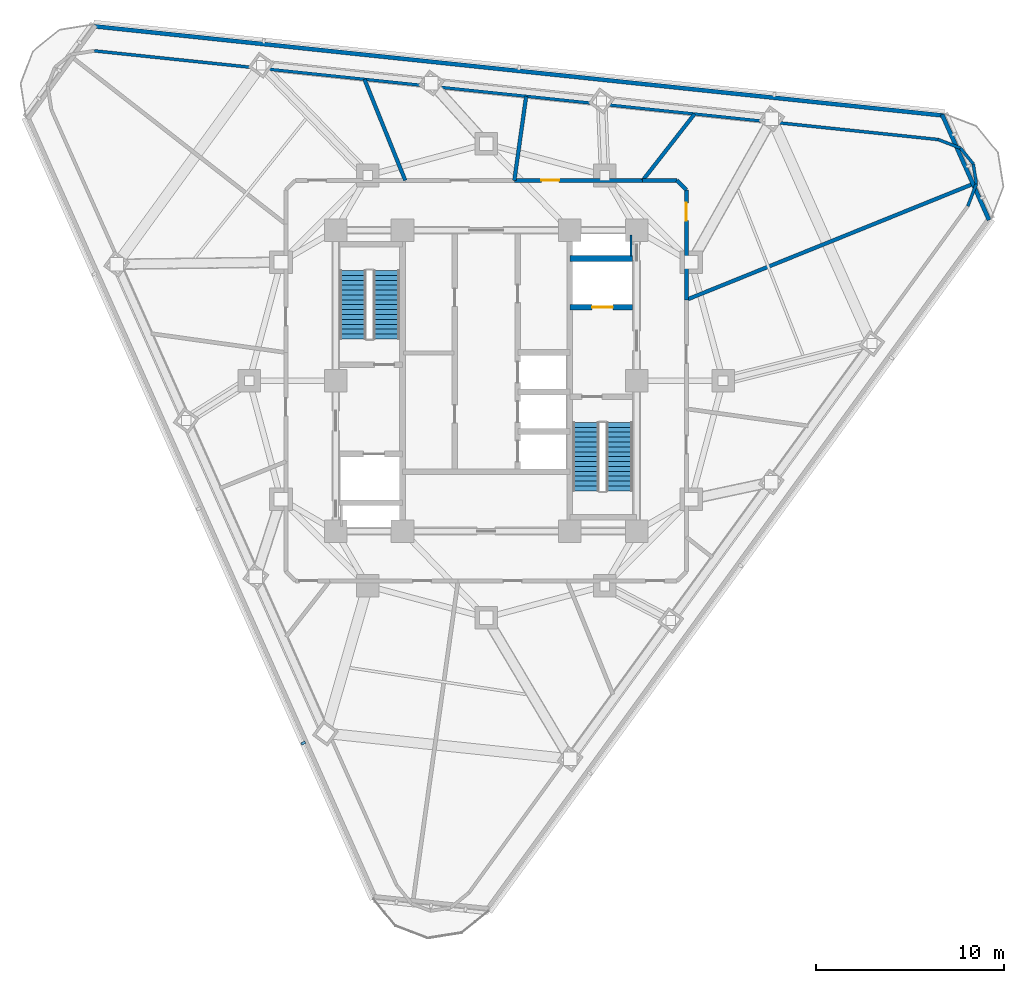
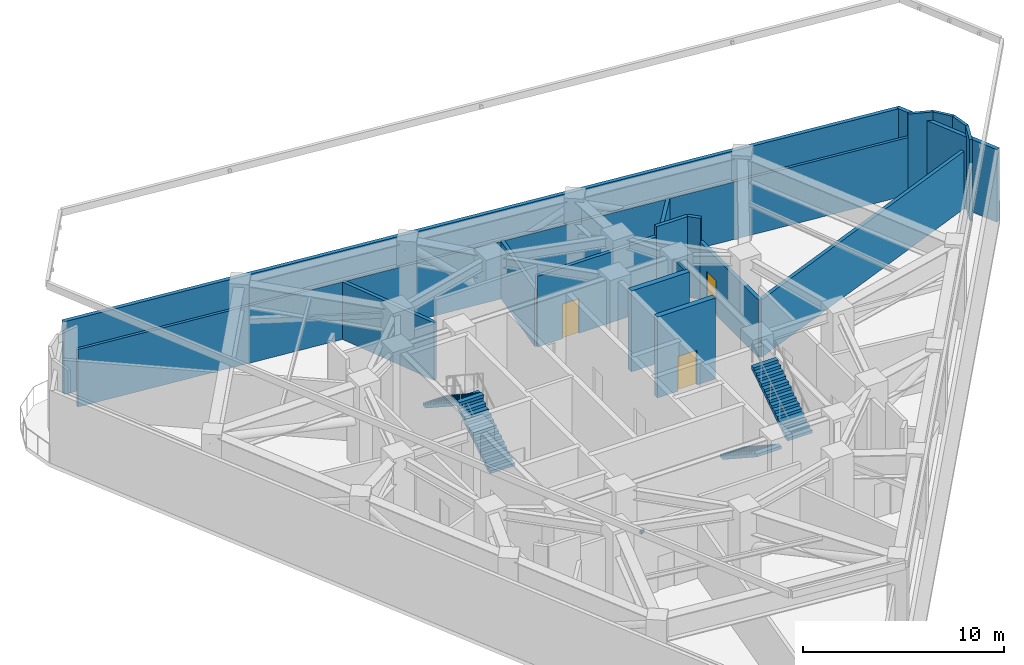
# One storey, part 5 of 10: 18 walls, 4 stair flights, 3 doors, 1 discrete accessory, 3 openings, 2 elements without a shape of their own.
"""IFC4 building model written with IfcOpenShell, lengths in metres."""

from ifc_helpers import new_model, si_unit, direction, frame, frame_2d, origin, origin_2d, place, context, subcontext, project, spatial, polyline, rectangle, outline, extrude, material, layer, layer_set, type_object, element, fill, aggregate, save


model = new_model("IFC4")

# Units and contexts
model_context = context("Model", 3, precision=1e-05, world=origin(), true_north=direction((0.0, 1.0)))
body_context = subcontext(model_context, "Body", "Model", "MODEL_VIEW")
ifc_project = project(units=[si_unit("LENGTHUNIT", "METRE"), si_unit("AREAUNIT", "SQUARE_METRE"), si_unit("VOLUMEUNIT", "CUBIC_METRE"), si_unit("PLANEANGLEUNIT", "RADIAN"), si_unit("MASSUNIT", "GRAM", prefix="KILO")], contexts=[model_context])

# Site, building, storey
site_placement = place(None, origin())
site = spatial("IfcSite", under=ifc_project, at=site_placement, CompositionType="ELEMENT")
building_placement = place(site_placement, origin())
building = spatial("IfcBuilding", under=site, at=building_placement, Name="Terralouvre Media Tower", CompositionType="ELEMENT")
storey_placement = place(building_placement, frame((0.0, 0.0, 213.800048828125)))
storey = spatial("IfcBuildingStorey", under=building, at=storey_placement, Name="L55", CompositionType="ELEMENT", Elevation=213.800048828125)

# Wall, opening, door
ifc_material_1 = material(Name="Concrete C50/60", Category="concrete")
ifc_layer_1 = layer(ifc_material_1, 0.300048828125, Name="Core Internal Shaft Wall CW-300")
ifc_layer_set_1 = layer_set([ifc_layer_1], Name="Concrete C50/60")
wall_type_1 = type_object("IfcWallType", Name="Core Internal Shaft Wall CW-300", PredefinedType="SHEAR", material=ifc_layer_set_1)
wall_1_placement = place(storey_placement, frame((4.449951171875, 3.89990234375, 0.0), z_axis=(0.0, 0.0, 1.0), x_axis=(1.0, 0.0, 0.0)))
wall_1 = element("IfcWall", 1, at=wall_1_placement, inside=storey, type_object=wall_type_1, Name="L55 Core Shaft Wall FF2S", PredefinedType="SHEAR", context=body_context, shape_type="SweptSolid", body=[
    extrude(rectangle(XDim=3.340087890625, YDim=0.300048828125, at=frame_2d((1.669921875, 0.0))), origin(), (0.0, 0.0, 1.0), 4.89990234375),
])
opening_1_placement = place(wall_1_placement, frame((1.179931640625, 0.0, 0.0)))
opening_1 = element("IfcOpeningElement", 2, at=opening_1_placement, cuts=wall_1, Name="Opening LD-FF", PredefinedType="OPENING", context=body_context, shape_type="SweptSolid", body=[
    extrude(rectangle(XDim=1.10009765625, YDim=2.10009765625, at=frame_2d((0.550048828125, 1.050048828125))), frame((0.0, 0.159912109375, 0.0), z_axis=(0.0, -1.0, 0.0), x_axis=(1.0, 0.0, 0.0)), (0.0, 0.0, 1.0), 0.320068359375),
])
ifc_material_2 = material(Name="Stainless steel 316 handrail and balustrade", Category="steel")
door_type_1 = type_object("IfcDoorType", Name="Firefighting Lift Sliding Landing Door LD-FF", OperationType="SLIDING_TO_LEFT", PredefinedType="DOOR", material=ifc_material_2)
door_1_placement = place(opening_1_placement, origin())
door_1 = element("IfcDoor", 3, at=door_1_placement, inside=storey, type_object=door_type_1, Name="L55 Firefighting Lift FFL-02 Landing Door", OperationType="SLIDING_TO_LEFT", OverallHeight=2.10009765625, OverallWidth=1.10009765625, PredefinedType="DOOR", context=body_context, shape_type="SweptSolid", body=[
    extrude(rectangle(XDim=1.10009765625, YDim=2.10009765625, at=frame_2d((0.550048828125, 1.050048828125))), frame((0.0, 0.02490234375, 0.0), z_axis=(0.0, -1.0, 0.0), x_axis=(1.0, 0.0, 0.0)), (0.0, 0.0, 1.0), 0.050048828125),
])
fill(opening_1, door_1)

# Walls
wall_2_placement = place(storey_placement, frame((4.449951171875, 6.5, 0.0), z_axis=(0.0, 0.0, 1.0), x_axis=(1.0, 0.0, 0.0)))
element("IfcWall", 4, at=wall_2_placement, inside=storey, type_object=wall_type_1, Name="L55 Core Shaft Wall FF2N", PredefinedType="SHEAR", context=body_context, shape_type="SweptSolid", body=[
    extrude(rectangle(XDim=3.340087890625, YDim=0.300048828125, at=frame_2d((1.669921875, 0.0))), origin(), (0.0, 0.0, 1.0), 4.89990234375),
])
ifc_material_3 = material(Name="Fire-rated gypsum board drywall partition")
ifc_layer_2 = layer(ifc_material_3, 0.199951171875, Name="Fire-Rated Shaft and Lobby Partition FW-200")
ifc_layer_set_2 = layer_set([ifc_layer_2], Name="Fire-rated gypsum board drywall partition")
wall_type_2 = type_object("IfcWallType", Name="Fire-Rated Shaft and Lobby Partition FW-200", PredefinedType="SOLIDWALL", material=ifc_layer_set_2)
wall_3_placement = place(storey_placement, frame((-20.84375, 17.53955078125, 0.0), z_axis=(0.0, 0.0, 1.0), x_axis=(0.994521715923, -0.104530170562, 0.0)))
element("IfcWall", 5, at=wall_3_placement, inside=storey, type_object=wall_type_2, Name="L55 Belt-Truss Acoustic Plenum Liner Wall 06", PredefinedType="SOLIDWALL", context=body_context, shape_type="SweptSolid", body=[
    extrude(rectangle(XDim=45.126220703125, YDim=0.159912109375, at=frame_2d((22.56298828125, 0.0))), origin(), (0.0, 0.0, 1.0), 3.48486328125),
])
wall_4_placement = place(storey_placement, frame((24.03515625, 12.822509765625, 0.0), z_axis=(0.0, 0.0, 1.0), x_axis=(0.933607923798, -0.358296308412, 0.0)))
element("IfcWall", 6, at=wall_4_placement, inside=storey, type_object=wall_type_2, Name="L55 Belt-Truss Acoustic Plenum Liner Wall 07", PredefinedType="SOLIDWALL", context=body_context, shape_type="SweptSolid", body=[
    extrude(rectangle(XDim=1.27001953125, YDim=0.159912109375, at=frame_2d((0.635009765625, 0.0))), origin(), (0.0, 0.0, 1.0), 4.89990234375),
])
for number, where, z_axis, x_axis, name in (
    (7, (25.220947265625, 12.367431640625, 0.0), (0.0, 0.0, 1.0), (0.629302601952, -0.777160366447, 0.0), "L55 Belt-Truss Acoustic Plenum Liner Wall 08"),
    (8, (25.8984375, 11.53076171875, 0.0), (0.0, 0.0, 1.0), (0.156451580451, -0.987685629628, 0.0), "L55 Belt-Truss Acoustic Plenum Liner Wall 09"),
):
    element("IfcWall", number, at=place(storey_placement, frame(where, z_axis=z_axis, x_axis=x_axis)), inside=storey, type_object=wall_type_2, Name=name, PredefinedType="SOLIDWALL", context=body_context, shape_type="SweptSolid", body=[
        extrude(rectangle(XDim=1.07666015625, YDim=0.159912109375, at=frame_2d((0.538330078125, 0.0))), origin(), (0.0, 0.0, 1.0), 4.89990234375),
    ])
wall_5_placement = place(storey_placement, frame((26.06689453125, 10.46728515625, 0.0), z_axis=(0.0, 0.0, 1.0), x_axis=(-0.358463833793, -0.933543614333, 0.0)))
element("IfcWall", 9, at=wall_5_placement, inside=storey, type_object=wall_type_2, Name="L55 Belt-Truss Acoustic Plenum Liner Wall 10", PredefinedType="SOLIDWALL", context=body_context, shape_type="SweptSolid", body=[
    extrude(rectangle(XDim=1.270263671875, YDim=0.159912109375, at=frame_2d((0.63525390625, 0.0))), origin(), (0.0, 0.0, 1.0), 4.89990234375),
])

# Wall, opening, door
wall_6_placement = place(storey_placement, frame((10.64990234375, 4.302978515625, 0.0), z_axis=(0.0, 0.0, 1.0), x_axis=(0.0, 1.0, 0.0)))
wall_6 = element("IfcWall", 10, at=wall_6_placement, inside=storey, type_object=wall_type_2, Name="L55 Interior Partition 012", PredefinedType="SOLIDWALL", context=body_context, shape_type="SweptSolid", body=[
    extrude(rectangle(XDim=5.846923828125, YDim=0.199951171875, at=frame_2d((2.92333984375, 0.0))), origin(), (0.0, 0.0, 1.0), 3.48486328125),
])
opening_2_placement = place(wall_6_placement, frame((4.20263671875, 0.0, 0.0)))
opening_2 = element("IfcOpeningElement", 11, at=opening_2_placement, cuts=wall_6, Name="Opening FD-02-95X210", PredefinedType="OPENING", context=body_context, shape_type="SweptSolid", body=[
    extrude(rectangle(XDim=0.949951171875, YDim=2.10009765625, at=frame_2d((0.47509765625, 1.050048828125))), frame((0.0, 0.10986328125, 0.0), z_axis=(0.0, -1.0, 0.0), x_axis=(1.0, 0.0, 0.0)), (0.0, 0.0, 1.0), 0.219970703125),
])
ifc_material_4 = material(Name="Galvanised steel fire-resisting leaf", Category="steel")
door_type_2 = type_object("IfcDoorType", Name="Plant and Riser Fire Door FD-02 (950x2100)", OperationType="NOTDEFINED", PredefinedType="DOOR", material=ifc_material_4)
door_2_placement = place(opening_2_placement, origin())
door_2 = element("IfcDoor", 12, at=door_2_placement, inside=storey, type_object=door_type_2, Name="L55 Sprinkler Reserve Tank and Pump Plant Room Door", OperationType="SINGLE_SWING_LEFT", OverallHeight=2.10009765625, OverallWidth=0.949951171875, PredefinedType="DOOR", context=body_context, shape_type="SweptSolid", body=[
    extrude(rectangle(XDim=0.949951171875, YDim=2.10009765625, at=frame_2d((0.47509765625, 1.050048828125))), frame((0.0, 0.02490234375, 0.0), z_axis=(0.0, -1.0, 0.0), x_axis=(1.0, 0.0, 0.0)), (0.0, 0.0, 1.0), 0.050048828125),
])
fill(opening_2, door_2)

# Walls
wall_7_placement = place(storey_placement, frame((10.64990234375, 10.14990234375, 0.0), z_axis=(0.0, 0.0, 1.0), x_axis=(-0.707106781187, 0.707106781187, 0.0)))
element("IfcWall", 13, at=wall_7_placement, inside=storey, type_object=wall_type_2, Name="L55 Interior Partition 013", PredefinedType="SOLIDWALL", context=body_context, shape_type="SweptSolid", body=[
    extrude(rectangle(XDim=0.70703125, YDim=0.199951171875, at=frame_2d((0.353515625, 0.0))), origin(), (0.0, 0.0, 1.0), 4.89990234375),
])
wall_8_placement = place(storey_placement, frame((10.14990234375, 10.64990234375, 0.0), z_axis=(0.0, 0.0, 1.0), x_axis=(-1.0, 0.0, 0.0)))
element("IfcWall", 14, at=wall_8_placement, inside=storey, type_object=wall_type_2, Name="L55 Interior Partition 014", PredefinedType="SOLIDWALL", context=body_context, shape_type="SweptSolid", body=[
    extrude(rectangle(XDim=1.828857421875, YDim=0.199951171875, at=frame_2d((0.91455078125, 0.0))), origin(), (0.0, 0.0, 1.0), 4.89990234375),
])

# Wall, opening, door
wall_9_placement = place(storey_placement, frame((8.321044921875, 10.64990234375, 0.0), z_axis=(0.0, 0.0, 1.0), x_axis=(-1.0, 0.0, 0.0)))
wall_9 = element("IfcWall", 15, at=wall_9_placement, inside=storey, type_object=wall_type_2, Name="L55 Interior Partition 015", PredefinedType="SOLIDWALL", context=body_context, shape_type="SweptSolid", body=[
    extrude(rectangle(XDim=6.823974609375, YDim=0.199951171875, at=frame_2d((3.412109375, 0.0))), origin(), (0.0, 0.0, 1.0), 4.284912109375),
])
opening_3_placement = place(wall_9_placement, frame((4.438232421875, 0.0, 0.0)))
opening_3 = element("IfcOpeningElement", 16, at=opening_3_placement, cuts=wall_9, Name="Opening FD-02-95X210", PredefinedType="OPENING", context=body_context, shape_type="SweptSolid", body=[
    extrude(rectangle(XDim=0.949951171875, YDim=2.10009765625, at=frame_2d((0.47509765625, 1.050048828125))), frame((0.0, 0.10986328125, 0.0), z_axis=(0.0, -1.0, 0.0), x_axis=(1.0, 0.0, 0.0)), (0.0, 0.0, 1.0), 0.219970703125),
])
door_3_placement = place(opening_3_placement, origin())
door_3 = element("IfcDoor", 17, at=door_3_placement, inside=storey, type_object=door_type_2, Name="L55 BMS and Telecom Mechanical Control Plant Room Door", OperationType="SINGLE_SWING_RIGHT", OverallHeight=2.10009765625, OverallWidth=0.949951171875, PredefinedType="DOOR", context=body_context, shape_type="SweptSolid", body=[
    extrude(rectangle(XDim=0.949951171875, YDim=2.10009765625, at=frame_2d((0.47509765625, 1.050048828125))), frame((0.0, 0.02490234375, 0.0), z_axis=(0.0, -1.0, 0.0), x_axis=(1.0, 0.0, 0.0)), (0.0, 0.0, 1.0), 0.050048828125),
])
fill(opening_3, door_3)

# Walls
wall_10_placement = place(storey_placement, frame((26.05712890625, 10.528076171875, 0.0), z_axis=(0.0, 0.0, 1.0), x_axis=(-0.927180216428, -0.374615597999, 0.0)))
element("IfcWall", 18, at=wall_10_placement, inside=storey, type_object=wall_type_2, Name="L55 Interior Partition 028", PredefinedType="SOLIDWALL", context=body_context, shape_type="SweptSolid", body=[
    extrude(rectangle(XDim=16.6171875, YDim=0.199951171875, at=frame_2d((8.30859375, 0.0))), origin(), (0.0, 0.0, 1.0), 3.48486328125),
])
wall_11_placement = place(storey_placement, frame((11.08203125, 14.18408203125, 0.0), z_axis=(0.0, 0.0, 1.0), x_axis=(-0.615631365167, -0.788034277315, 0.0)))
element("IfcWall", 19, at=wall_11_placement, inside=storey, type_object=wall_type_2, Name="L55 Interior Partition 029", PredefinedType="SOLIDWALL", context=body_context, shape_type="SweptSolid", body=[
    extrude(rectangle(XDim=4.48486328125, YDim=0.199951171875, at=frame_2d((2.242431640625, 0.0))), origin(), (0.0, 0.0, 1.0), 3.48486328125),
])
wall_12_placement = place(storey_placement, frame((2.1259765625, 15.125244140625, 0.0), z_axis=(0.0, 0.0, 1.0), x_axis=(-0.139159643066, -0.990269960032, 0.0)))
element("IfcWall", 20, at=wall_12_placement, inside=storey, type_object=wall_type_2, Name="L55 Interior Partition 030", PredefinedType="SOLIDWALL", context=body_context, shape_type="SweptSolid", body=[
    extrude(rectangle(XDim=4.519287109375, YDim=0.199951171875, at=frame_2d((2.259765625, 0.0))), origin(), (0.0, 0.0, 1.0), 3.48486328125),
])
wall_13_placement = place(storey_placement, frame((-6.476318359375, 16.029541015625, 0.0), z_axis=(0.0, 0.0, 1.0), x_axis=(0.374580624875, -0.927194346115, 0.0)))
element("IfcWall", 21, at=wall_13_placement, inside=storey, type_object=wall_type_2, Name="L55 Interior Partition 031", PredefinedType="SOLIDWALL", context=body_context, shape_type="SweptSolid", body=[
    extrude(rectangle(XDim=5.802001953125, YDim=0.199951171875, at=frame_2d((2.90087890625, 0.0))), origin(), (0.0, 0.0, 1.0), 3.48486328125),
])
ifc_material_5 = material(Name="Fire-rated gypsum board drywall partition")
ifc_layer_3 = layer(ifc_material_5, 0.1201171875, Name="Low Technical Plinth Furring Wall PT-PL120")
ifc_layer_set_3 = layer_set([ifc_layer_3], Name="Fire-rated gypsum board drywall partition")
wall_type_3 = type_object("IfcWallType", Name="Low Technical Plinth Furring Wall PT-PL120", PredefinedType="PLUMBINGWALL", material=ifc_layer_set_3)
wall_14_placement = place(storey_placement, frame((7.699951171875, 6.6201171875, 0.0), z_axis=(0.0, 0.0, 1.0), x_axis=(0.0, 1.0, 0.0)))
element("IfcWall", 22, at=wall_14_placement, inside=storey, type_object=wall_type_3, Name="L55 Wet Riser Plumbing Furring Wall 2", PredefinedType="PLUMBINGWALL", context=body_context, shape_type="SweptSolid", body=[
    extrude(rectangle(XDim=1.1298828125, YDim=0.1201171875, at=frame_2d((0.56494140625, 0.0))), origin(), (0.0, 0.0, 1.0), 4.89990234375),
])
ifc_material_6 = material(Name="Kiln-fired architectural terracotta rainscreen cladding", Category="masonry")
ifc_layer_4 = layer(ifc_material_6, 0.260009765625, Name="Recessed Sky-Garden Acoustic Wall EW-SG260")
ifc_layer_set_4 = layer_set([ifc_layer_4], Name="Kiln-fired architectural terracotta rainscreen cladding")
wall_type_4 = type_object("IfcWallType", Name="Recessed Sky-Garden Acoustic Wall EW-SG260", PredefinedType="SOLIDWALL", material=ifc_layer_set_4)
wall_15_placement = place(storey_placement, frame((24.35693359375, 14.095947265625, 0.0), z_axis=(0.0, 0.0, 1.0), x_axis=(-0.994521758536, 0.104529765133, 0.0)))
element("IfcWall", 23, at=wall_15_placement, inside=storey, type_object=wall_type_4, Name="L55 Facade Curtain Wall F1 Acoustic Plant Plinth Wall", PredefinedType="SOLIDWALL", context=body_context, shape_type="SweptSolid", body=[
    extrude(rectangle(XDim=45.5, YDim=0.219970703125, at=frame_2d((22.75, 0.0))), origin(), (0.0, 0.0, 1.0), 4.39990234375),
])
wall_16_placement = place(storey_placement, frame((26.742431640625, 8.541259765625, 0.0), z_axis=(0.0, 0.0, 1.0), x_axis=(-0.406742554949, 0.913542825484, 0.0)))
element("IfcWall", 24, at=wall_16_placement, inside=storey, type_object=wall_type_4, Name="L55 Rounded Wind-Corner Curtain Wall C1 Acoustic Plant Plinth Wall", PredefinedType="SOLIDWALL", context=body_context, shape_type="SweptSolid", body=[
    extrude(rectangle(XDim=6.148681640625, YDim=0.219970703125, at=frame_2d((3.07421875, 0.0))), origin(), (0.0, 0.0, 1.0), 4.39990234375),
])

# Stair, stair flights
ifc_material_7 = material(Name="Concrete C45/55", Category="concrete")
stair_type_1 = type_object("IfcStairType", Name="Dogleg Stair Assembly ST-01", PredefinedType="HALF_TURN_STAIR", material=ifc_material_7)
stair_1_placement = place(storey_placement, origin())
stair_1 = element("IfcStair", 25, at=stair_1_placement, inside=storey, type_object=stair_type_1, Name="L55 Core Pressurised Exit Stair ST-01", PredefinedType="HALF_TURN_STAIR")
ifc_material_8 = material(Name="Concrete C45/55", Category="concrete")
stair_flight_type = type_object("IfcStairFlightType", Name="Reinforced Concrete Stair Flight SF-RC1", PredefinedType="STRAIGHT", material=ifc_material_8)
stair_flight_1_placement = place(storey_placement, frame((-5.300048828125, 2.219970703125, 0.0), z_axis=(0.0, 0.0, 1.0), x_axis=(0.0, 1.0, 0.0)))
stair_flight_1 = element("IfcStairFlight", 26, at=stair_flight_1_placement, type_object=stair_flight_type, Name="ST-01 flight 1", NumberOfRisers=15, NumberOfTreads=14, PredefinedType="STRAIGHT", RiserHeight=0.17, TreadLength=0.26, context=body_context, shape_type="SweptSolid", body=[
    extrude(outline(polyline([(0.0, 0.0), (0.0, 0.169921875), (0.260009765625, 0.169921875), (0.260009765625, 0.340087890625), (0.52001953125, 0.340087890625), (0.52001953125, 0.510009765625), (0.780029296875, 0.510009765625), (0.780029296875, 0.679931640625), (1.0400390625, 0.679931640625), (1.0400390625, 0.85009765625), (1.300048828125, 0.85009765625), (1.300048828125, 1.02001953125), (1.56005859375, 1.02001953125), (1.56005859375, 1.18994140625), (1.820068359375, 1.18994140625), (1.820068359375, 1.360107421875), (2.080078125, 1.360107421875), (2.080078125, 1.530029296875), (2.340087890625, 1.530029296875), (2.340087890625, 1.699951171875), (2.60009765625, 1.699951171875), (2.60009765625, 1.8701171875), (2.860107421875, 1.8701171875), (2.860107421875, 2.0400390625), (3.1201171875, 2.0400390625), (3.1201171875, 2.2099609375), (3.3798828125, 2.2099609375), (3.3798828125, 2.3798828125), (3.639892578125, 2.3798828125), (3.639892578125, 2.550048828125), (3.639892578125, 2.200927734375), (0.27392578125, 0.0), (0.0, 0.0)])), frame((0.0, 0.699951171875, 0.0), z_axis=(0.0, -1.0, 0.0), x_axis=(1.0, 0.0, 0.0)), (0.0, 0.0, 1.0), 1.39990234375),
])
stair_flight_2_placement = place(storey_placement, frame((-7.080078125, 5.860107421875, 2.550048828125), z_axis=(0.0, 0.0, 1.0), x_axis=(0.0, -1.0, 0.0)))
stair_flight_2 = element("IfcStairFlight", 27, at=stair_flight_2_placement, type_object=stair_flight_type, Name="ST-01 flight 2", NumberOfRisers=15, NumberOfTreads=14, PredefinedType="STRAIGHT", RiserHeight=0.17, TreadLength=0.26, context=body_context, shape_type="SweptSolid", body=[
    extrude(outline(polyline([(0.0, 0.0), (0.0, 0.169921875), (0.260009765625, 0.169921875), (0.260009765625, 0.340087890625), (0.52001953125, 0.340087890625), (0.52001953125, 0.510009765625), (0.780029296875, 0.510009765625), (0.780029296875, 0.679931640625), (1.0400390625, 0.679931640625), (1.0400390625, 0.85009765625), (1.300048828125, 0.85009765625), (1.300048828125, 1.02001953125), (1.56005859375, 1.02001953125), (1.56005859375, 1.18994140625), (1.820068359375, 1.18994140625), (1.820068359375, 1.360107421875), (2.080078125, 1.360107421875), (2.080078125, 1.530029296875), (2.340087890625, 1.530029296875), (2.340087890625, 1.699951171875), (2.60009765625, 1.699951171875), (2.60009765625, 1.8701171875), (2.860107421875, 1.8701171875), (2.860107421875, 2.0400390625), (3.1201171875, 2.0400390625), (3.1201171875, 2.2099609375), (3.3798828125, 2.2099609375), (3.3798828125, 2.3798828125), (3.639892578125, 2.3798828125), (3.639892578125, 2.550048828125), (3.639892578125, 2.200927734375), (0.27392578125, 0.0), (0.0, 0.0)])), frame((0.0, 0.699951171875, 0.0), z_axis=(0.0, -1.0, 0.0), x_axis=(1.0, 0.0, 0.0)), (0.0, 0.0, 1.0), 1.39990234375),
])
aggregate(stair_1, [stair_flight_1, stair_flight_2])

ifc_material_9 = material(Name="Concrete C45/55", Category="concrete")
stair_type_2 = type_object("IfcStairType", Name="Dogleg Stair Assembly ST-02", PredefinedType="HALF_TURN_STAIR", material=ifc_material_9)
stair_2_placement = place(storey_placement, origin())
stair_2 = element("IfcStair", 28, at=stair_2_placement, inside=storey, type_object=stair_type_2, Name="L55 Core Pressurised Exit Stair ST-02", PredefinedType="HALF_TURN_STAIR")
stair_flight_3_placement = place(storey_placement, frame((5.300048828125, -2.219970703125, 0.0), z_axis=(0.0, 0.0, 1.0), x_axis=(0.0, -1.0, 0.0)))
stair_flight_3 = element("IfcStairFlight", 29, at=stair_flight_3_placement, type_object=stair_flight_type, Name="ST-02 flight 1", NumberOfRisers=15, NumberOfTreads=14, PredefinedType="STRAIGHT", RiserHeight=0.17, TreadLength=0.26, context=body_context, shape_type="SweptSolid", body=[
    extrude(outline(polyline([(0.0, 0.0), (0.0, 0.169921875), (0.260009765625, 0.169921875), (0.260009765625, 0.340087890625), (0.52001953125, 0.340087890625), (0.52001953125, 0.510009765625), (0.780029296875, 0.510009765625), (0.780029296875, 0.679931640625), (1.0400390625, 0.679931640625), (1.0400390625, 0.85009765625), (1.300048828125, 0.85009765625), (1.300048828125, 1.02001953125), (1.56005859375, 1.02001953125), (1.56005859375, 1.18994140625), (1.820068359375, 1.18994140625), (1.820068359375, 1.360107421875), (2.080078125, 1.360107421875), (2.080078125, 1.530029296875), (2.340087890625, 1.530029296875), (2.340087890625, 1.699951171875), (2.60009765625, 1.699951171875), (2.60009765625, 1.8701171875), (2.860107421875, 1.8701171875), (2.860107421875, 2.0400390625), (3.1201171875, 2.0400390625), (3.1201171875, 2.2099609375), (3.3798828125, 2.2099609375), (3.3798828125, 2.3798828125), (3.639892578125, 2.3798828125), (3.639892578125, 2.550048828125), (3.639892578125, 2.200927734375), (0.27392578125, 0.0), (0.0, 0.0)])), frame((0.0, 0.699951171875, 0.0), z_axis=(0.0, -1.0, 0.0), x_axis=(1.0, 0.0, 0.0)), (0.0, 0.0, 1.0), 1.39990234375),
])
stair_flight_4_placement = place(storey_placement, frame((7.080078125, -5.860107421875, 2.550048828125), z_axis=(0.0, 0.0, 1.0), x_axis=(0.0, 1.0, 0.0)))
stair_flight_4 = element("IfcStairFlight", 30, at=stair_flight_4_placement, type_object=stair_flight_type, Name="ST-02 flight 2", NumberOfRisers=15, NumberOfTreads=14, PredefinedType="STRAIGHT", RiserHeight=0.17, TreadLength=0.26, context=body_context, shape_type="SweptSolid", body=[
    extrude(outline(polyline([(0.0, 0.0), (0.0, 0.169921875), (0.260009765625, 0.169921875), (0.260009765625, 0.340087890625), (0.52001953125, 0.340087890625), (0.52001953125, 0.510009765625), (0.780029296875, 0.510009765625), (0.780029296875, 0.679931640625), (1.0400390625, 0.679931640625), (1.0400390625, 0.85009765625), (1.300048828125, 0.85009765625), (1.300048828125, 1.02001953125), (1.56005859375, 1.02001953125), (1.56005859375, 1.18994140625), (1.820068359375, 1.18994140625), (1.820068359375, 1.360107421875), (2.080078125, 1.360107421875), (2.080078125, 1.530029296875), (2.340087890625, 1.530029296875), (2.340087890625, 1.699951171875), (2.60009765625, 1.699951171875), (2.60009765625, 1.8701171875), (2.860107421875, 1.8701171875), (2.860107421875, 2.0400390625), (3.1201171875, 2.0400390625), (3.1201171875, 2.2099609375), (3.3798828125, 2.2099609375), (3.3798828125, 2.3798828125), (3.639892578125, 2.3798828125), (3.639892578125, 2.550048828125), (3.639892578125, 2.200927734375), (0.27392578125, 0.0), (0.0, 0.0)])), frame((0.0, 0.699951171875, 0.0), z_axis=(0.0, -1.0, 0.0), x_axis=(1.0, 0.0, 0.0)), (0.0, 0.0, 1.0), 1.39990234375),
])
aggregate(stair_2, [stair_flight_3, stair_flight_4])

# Discrete accessory
ifc_material_10 = material(Name="Anodised extruded aluminium 6063-T6", Category="aluminium")
discrete_accessory_type = type_object("IfcDiscreteAccessoryType", Name="Mullion Stand-Off Baguette Fixing Bracket BK-01", PredefinedType="BRACKET", material=ifc_material_10)
discrete_accessory_placement = place(storey_placement, frame((-9.726806640625, -19.2724609375, 10.75), z_axis=(0.0, 0.0, 1.0), x_axis=(0.406736679636, -0.913545441365, 0.0)))
element("IfcDiscreteAccessory", 31, at=discrete_accessory_placement, inside=storey, type_object=discrete_accessory_type, Name="CW-L55-F2 Louvre Bracket 03", PredefinedType="BRACKET", context=body_context, shape_type="SweptSolid", body=[
    extrude(rectangle(XDim=0.139892578125, YDim=0.239990234375, at=origin_2d()), origin(), (0.0, 0.0, 1.0), 0.179931640625),
])

save(model, "model.ifc")
